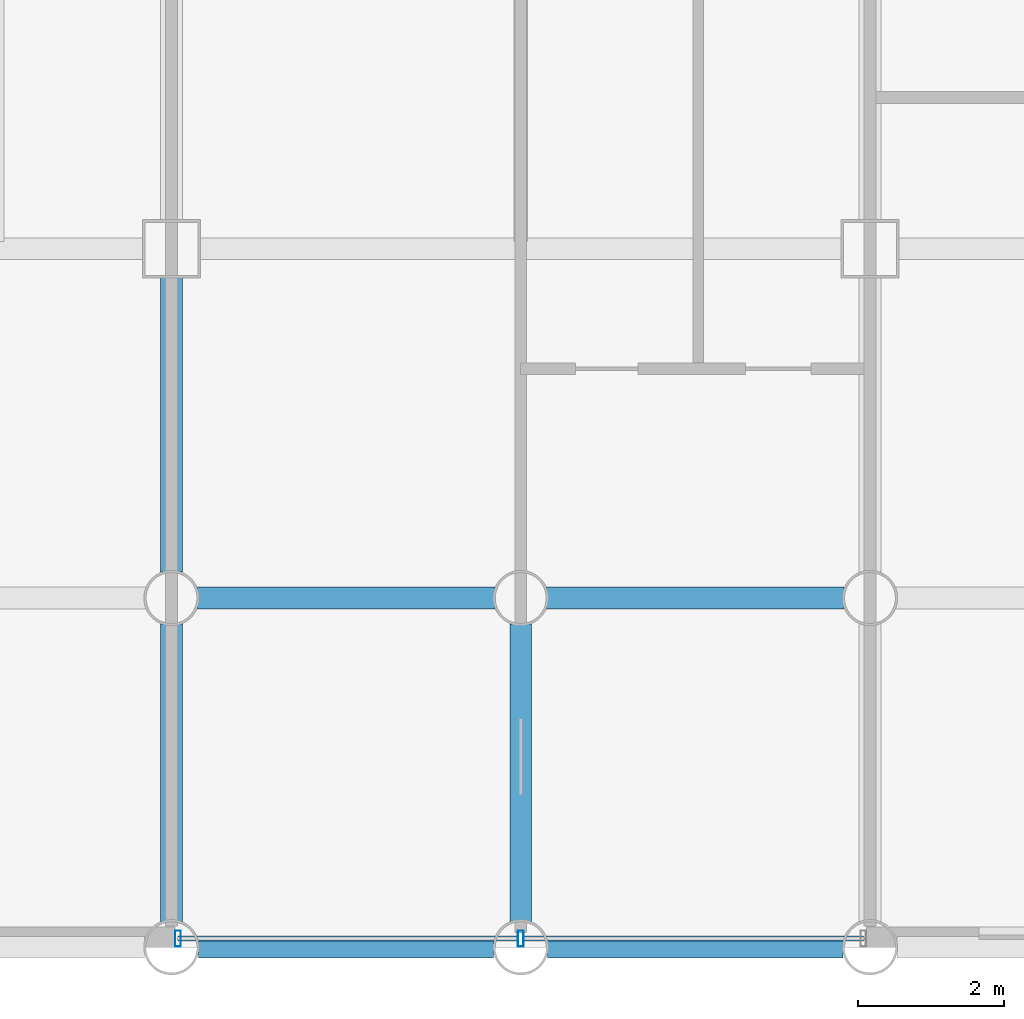
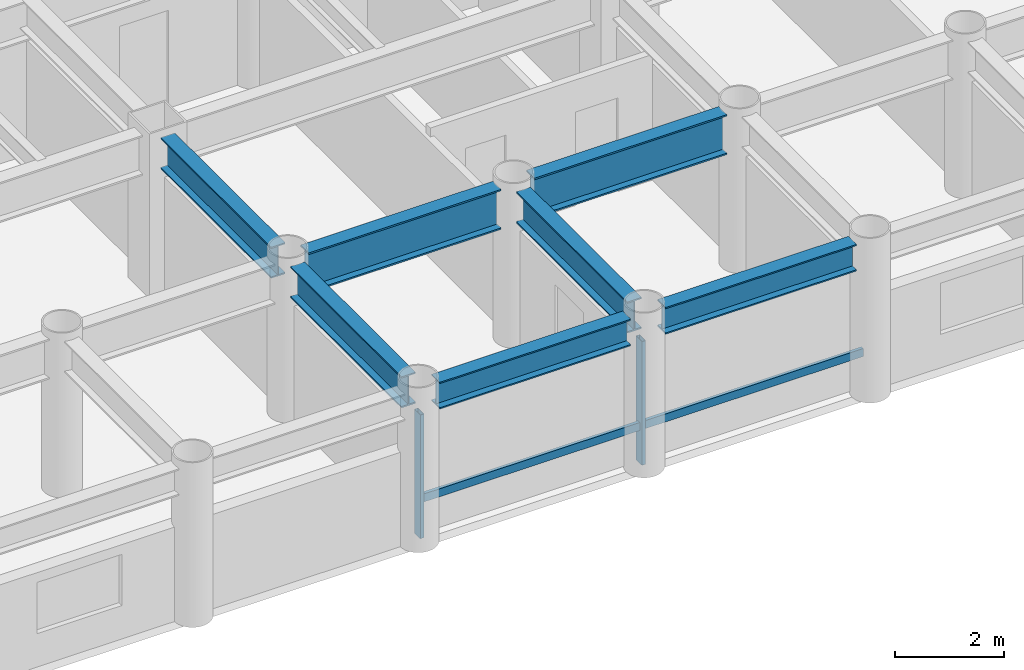
# One storey, part 2 of 20: 7 beams, 4 members, 1 element without a shape of its own.
"""IFC4 building model written with IfcOpenShell, lengths in metres."""

from ifc_helpers import new_model, si_unit, direction, frame, origin, origin_2d, place, context, subcontext, project, spatial, hollow_rectangle, i_section, extrude, material, layer, layer_set, material_profile, profile_set, type_object, element, aggregate, save


model = new_model("IFC4")

# Units and contexts
model_context = context("Model", 3, precision=1e-05, world=origin(), true_north=direction((0.0, 1.0)))
body_context = subcontext(model_context, "Body", "Model", "MODEL_VIEW")
ifc_project = project(units=[si_unit("LENGTHUNIT", "METRE"), si_unit("AREAUNIT", "SQUARE_METRE"), si_unit("VOLUMEUNIT", "CUBIC_METRE"), si_unit("PLANEANGLEUNIT", "RADIAN"), si_unit("MASSUNIT", "GRAM", prefix="KILO")], contexts=[model_context])

# Site, building, storey
site_placement = place(None, origin())
site = spatial("IfcSite", under=ifc_project, at=site_placement, CompositionType="ELEMENT")
building_placement = place(site_placement, origin())
building = spatial("IfcBuilding", under=site, at=building_placement, Name="Kallvorn Hotel Tower", CompositionType="ELEMENT")
storey_placement = place(building_placement, frame((0.0, 0.0, 74.39990234375)))
storey = spatial("IfcBuildingStorey", under=building, at=storey_placement, Name="L17", CompositionType="ELEMENT", Elevation=74.39990234375)

# Beams
ifc_material_1 = material(Name="Structural steel S355JR", Category="steel")
ifc_material_profile_1 = material_profile(ifc_material_1, i_section(OverallWidth=0.300048828125, OverallDepth=0.60009765625, WebThickness=0.015380859375, FlangeThickness=0.030029296875, at=origin_2d()), Name="HE 600 B")
ifc_profile_set_1 = profile_set([ifc_material_profile_1], Name="Structural steel S355JR")
beam_type_1 = type_object("IfcBeamType", Name="BM_HE600B", PredefinedType="SPANDREL", material=ifc_profile_set_1)
for number, where, z_axis, x_axis, name in (
    (1, (-4.428955078125, -24.0, 3.22021484375), (1.0, 0.0, 0.0), (0.0, 1.0, 0.0), "L18 Perimeter Spandrel 155"),
    (2, (0.37109375, -24.0, 3.22021484375), (1.0, 0.0, 0.0), (0.0, 1.0, 0.0), "L18 Perimeter Spandrel 156"),
):
    element("IfcBeam", number, at=place(storey_placement, frame(where, z_axis=z_axis, x_axis=x_axis)), inside=storey, type_object=beam_type_1, Name=name, PredefinedType="SPANDREL", context=body_context, shape_type="SweptSolid", body=[
        extrude(i_section(OverallWidth=0.300048828125, OverallDepth=0.60009765625, WebThickness=0.015380859375, FlangeThickness=0.030029296875, at=origin_2d()), origin(), (0.0, 0.0, 1.0), 4.057861328125),
    ])
ifc_material_2 = material(Name="Structural steel S355JR", Category="steel")
ifc_material_profile_2 = material_profile(ifc_material_2, i_section(OverallWidth=0.300048828125, OverallDepth=0.699951171875, WebThickness=0.01708984375, FlangeThickness=0.031982421875, at=origin_2d()), Name="HE 700 B")
ifc_profile_set_2 = profile_set([ifc_material_profile_2], Name="Structural steel S355JR")
beam_type_2 = type_object("IfcBeamType", Name="BM_HE700B", PredefinedType="BEAM", material=ifc_profile_set_2)
beam_1_placement = place(storey_placement, frame((-4.800048828125, -23.64404296875, 3.170166015625), z_axis=(0.0, 1.0, 0.0), x_axis=(-1.0, 0.0, 0.0)))
element("IfcBeam", 3, at=beam_1_placement, inside=storey, type_object=beam_type_2, Name="L18 Primary Y-Girder 105", PredefinedType="BEAM", context=body_context, shape_type="SweptSolid", body=[
    extrude(i_section(OverallWidth=0.300048828125, OverallDepth=0.699951171875, WebThickness=0.01708984375, FlangeThickness=0.031982421875, at=origin_2d()), origin(), (0.0, 0.0, 1.0), 4.088134765625),
])
beam_2_placement = place(storey_placement, frame((-4.800048828125, -18.843994140625, 3.170166015625), z_axis=(0.0, 1.0, 0.0), x_axis=(-1.0, 0.0, 0.0)))
element("IfcBeam", 4, at=beam_2_placement, inside=storey, type_object=beam_type_2, Name="L18 Primary Y-Girder 106", PredefinedType="BEAM", context=body_context, shape_type="SweptSolid", body=[
    extrude(i_section(OverallWidth=0.300048828125, OverallDepth=0.699951171875, WebThickness=0.01708984375, FlangeThickness=0.031982421875, at=origin_2d()), origin(), (0.0, 0.0, 1.0), 4.069091796875),
])
beam_3_placement = place(storey_placement, frame((0.0, -23.64404296875, 3.170166015625), z_axis=(0.0, 1.0, 0.0), x_axis=(-1.0, 0.0, 0.0)))
element("IfcBeam", 5, at=beam_3_placement, inside=storey, type_object=beam_type_2, Name="L18 Primary Y-Girder 110", PredefinedType="BEAM", context=body_context, shape_type="SweptSolid", body=[
    extrude(i_section(OverallWidth=0.300048828125, OverallDepth=0.699951171875, WebThickness=0.01708984375, FlangeThickness=0.031982421875, at=origin_2d()), origin(), (0.0, 0.0, 1.0), 4.088134765625),
])
ifc_material_3 = material(Name="Structural steel S355JR", Category="steel")
ifc_material_profile_3 = material_profile(ifc_material_3, i_section(OverallWidth=0.300048828125, OverallDepth=0.89990234375, WebThickness=0.0185546875, FlangeThickness=0.034912109375, at=origin_2d()), Name="HE 900 B")
ifc_profile_set_3 = profile_set([ifc_material_profile_3], Name="Structural steel S355JR")
beam_type_3 = type_object("IfcBeamType", Name="BM_HE900B", PredefinedType="BEAM", material=ifc_profile_set_3)
for number, where, z_axis, x_axis, name in (
    (6, (-4.444091796875, -19.199951171875, 3.070068359375), (1.0, 0.0, 0.0), (0.0, 1.0, 0.0), "L18 Primary X-Girder 06"),
    (7, (0.35595703125, -19.199951171875, 3.070068359375), (1.0, 0.0, 0.0), (0.0, 1.0, 0.0), "L18 Primary X-Girder 07"),
):
    element("IfcBeam", number, at=place(storey_placement, frame(where, z_axis=z_axis, x_axis=x_axis)), inside=storey, type_object=beam_type_3, Name=name, PredefinedType="BEAM", context=body_context, shape_type="SweptSolid", body=[
        extrude(i_section(OverallWidth=0.300048828125, OverallDepth=0.89990234375, WebThickness=0.0185546875, FlangeThickness=0.034912109375, at=origin_2d()), origin(), (0.0, 0.0, 1.0), 4.088134765625),
    ])

# Curtain wall, members
ifc_material_4 = material(Name="Thermally broken black-anodised aluminium AA 6063-T6", Category="aluminium")
ifc_layer = layer(ifc_material_4, 0.199951171875)
ifc_layer_set = layer_set([ifc_layer], Name="CW_SYS_3_HOTEL_LOW")
curtain_wall_type = type_object("IfcCurtainWallType", Name="CW_SYS_3_HOTEL_LOW", PredefinedType="USERDEFINED", material=ifc_layer_set)
curtain_wall_placement = place(storey_placement, origin())
curtain_wall = element("IfcCurtainWall", 8, at=curtain_wall_placement, inside=storey, type_object=curtain_wall_type, Name="L17 Dark-Glass Curtain Wall CW-L17-SC", ObjectType="UNITISED CURTAIN WALL", PredefinedType="USERDEFINED")
ifc_material_5 = material(Name="Thermally broken black-anodised aluminium AA 6063-T6", Category="aluminium")
ifc_material_profile_4 = material_profile(ifc_material_5, hollow_rectangle(XDim=0.080078125, YDim=0.219970703125, WallThickness=0.0048828125, at=origin_2d()), Name="MUL 220x80")
ifc_profile_set_4 = profile_set([ifc_material_profile_4], Name="Thermally broken black-anodised aluminium AA 6063-T6")
member_type_1 = type_object("IfcMemberType", Name="CW_MULLION_220x80", PredefinedType="MULLION", material=ifc_profile_set_4)
member_1_placement = place(storey_placement, frame((-4.7099609375, -23.8798828125, 0.02001953125), z_axis=(0.0, 0.0, 1.0), x_axis=(1.0, 0.0, 0.0)))
member_1 = element("IfcMember", 9, at=member_1_placement, type_object=member_type_1, Name="CW-L17-SC Mullion 00", PredefinedType="MULLION", context=body_context, shape_type="SweptSolid", body=[
    extrude(hollow_rectangle(XDim=0.080078125, YDim=0.219970703125, WallThickness=0.0048828125, at=origin_2d()), origin(), (0.0, 0.0, 1.0), 2.780029296875),
])
member_2_placement = place(storey_placement, frame((0.0, -23.8798828125, 0.02001953125), z_axis=(0.0, 0.0, 1.0), x_axis=(1.0, 0.0, 0.0)))
member_2 = element("IfcMember", 10, at=member_2_placement, type_object=member_type_1, Name="CW-L17-SC Mullion 01", PredefinedType="MULLION", context=body_context, shape_type="SweptSolid", body=[
    extrude(hollow_rectangle(XDim=0.080078125, YDim=0.219970703125, WallThickness=0.0048828125, at=origin_2d()), origin(), (0.0, 0.0, 1.0), 2.780029296875),
])
ifc_material_6 = material(Name="Thermally broken black-anodised aluminium AA 6063-T6", Category="aluminium")
ifc_material_profile_5 = material_profile(ifc_material_6, hollow_rectangle(XDim=0.070068359375, YDim=0.179931640625, WallThickness=0.00390625, at=origin_2d()), Name="TRN 180x70")
ifc_profile_set_5 = profile_set([ifc_material_profile_5], Name="Thermally broken black-anodised aluminium AA 6063-T6")
member_type_2 = type_object("IfcMemberType", Name="CW_TRANSOM_180x70", PredefinedType="USERDEFINED", material=ifc_profile_set_5)
member_3_placement = place(storey_placement, frame((-4.7099609375, -23.8798828125, 0.85009765625), z_axis=(1.0, 0.0, 0.0), x_axis=(0.0, 1.0, 0.0)))
member_3 = element("IfcMember", 11, at=member_3_placement, type_object=member_type_2, Name="CW-L17-SC Transom 00M", ObjectType="TRANSOM", PredefinedType="USERDEFINED", context=body_context, shape_type="SweptSolid", body=[
    extrude(hollow_rectangle(XDim=0.070068359375, YDim=0.179931640625, WallThickness=0.00390625, at=origin_2d()), origin(), (0.0, 0.0, 1.0), 4.669921875),
])
member_4_placement = place(storey_placement, frame((0.0400390625, -23.8798828125, 0.85009765625), z_axis=(1.0, 0.0, 0.0), x_axis=(0.0, 1.0, 0.0)))
member_4 = element("IfcMember", 12, at=member_4_placement, type_object=member_type_2, Name="CW-L17-SC Transom 01M", ObjectType="TRANSOM", PredefinedType="USERDEFINED", context=body_context, shape_type="SweptSolid", body=[
    extrude(hollow_rectangle(XDim=0.070068359375, YDim=0.179931640625, WallThickness=0.00390625, at=origin_2d()), origin(), (0.0, 0.0, 1.0), 4.669921875),
])
aggregate(curtain_wall, [member_1, member_2, member_3, member_4])

save(model, "model.ifc")
